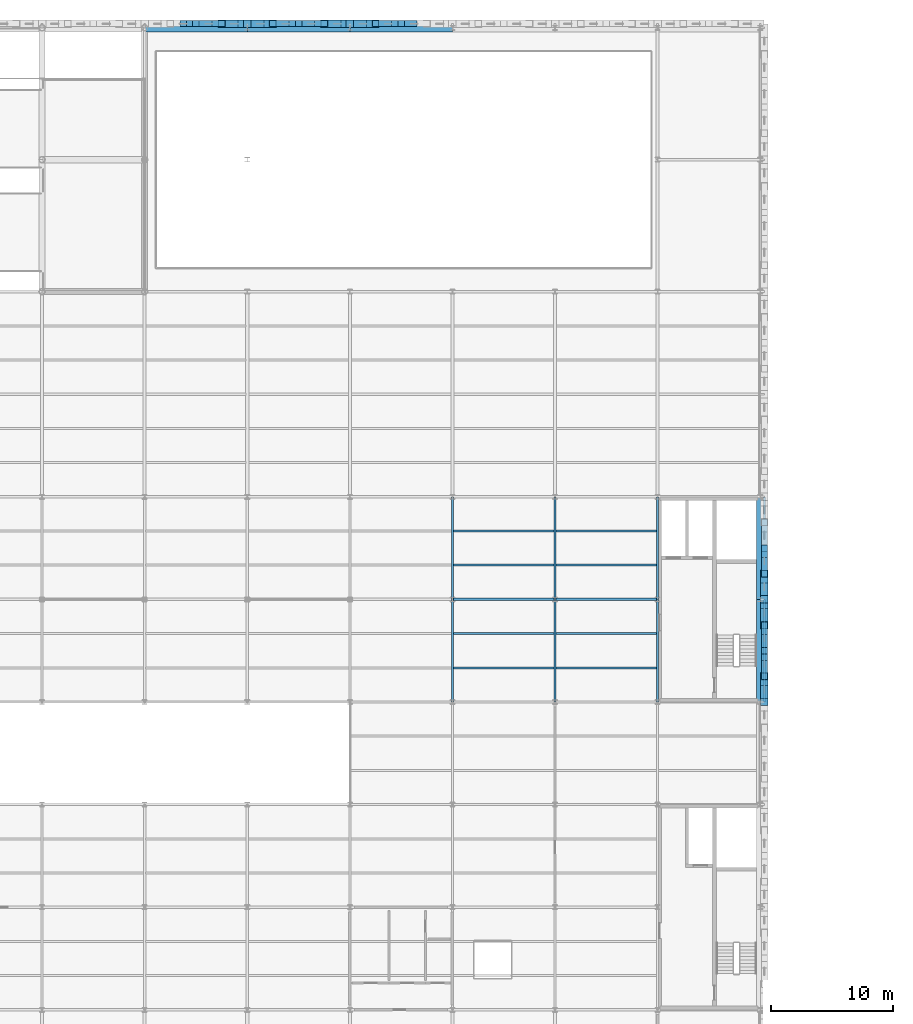
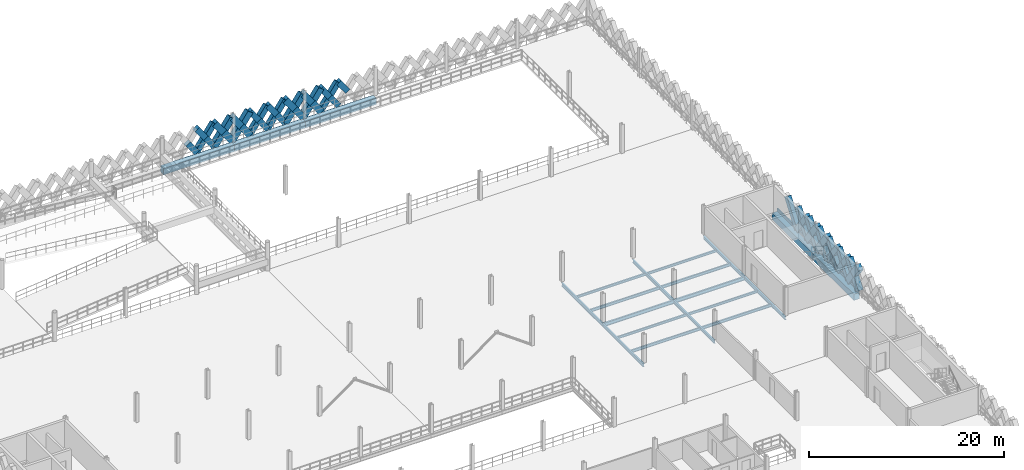
# One storey, part 26 of 62: 47 members, 21 beams.
"""IFC4 building model written with IfcOpenShell, lengths in metres."""

from ifc_helpers import new_model, si_unit, direction, frame, origin, origin_2d, place, context, subcontext, project, spatial, rectangle, hollow_rectangle, i_section, extrude, material, material_profile, profile_set, type_object, element, save


model = new_model("IFC4")

# Units and contexts
model_context = context("Model", 3, precision=1e-05, world=origin(), true_north=direction((0.0, 1.0)))
body_context = subcontext(model_context, "Body", "Model", "MODEL_VIEW")
ifc_project = project(units=[si_unit("LENGTHUNIT", "METRE"), si_unit("AREAUNIT", "SQUARE_METRE"), si_unit("VOLUMEUNIT", "CUBIC_METRE"), si_unit("PLANEANGLEUNIT", "RADIAN"), si_unit("MASSUNIT", "GRAM", prefix="KILO"), si_unit("THERMODYNAMICTEMPERATUREUNIT", "KELVIN"), si_unit("POWERUNIT", "WATT")], contexts=[model_context])

# Site, building, storey
site_placement = place(None, origin())
site = spatial("IfcSite", under=ifc_project, at=site_placement, CompositionType="ELEMENT")
building_placement = place(site_placement, origin())
building = spatial("IfcBuilding", under=site, at=building_placement, Name="Tembeka Court Mobility Hub", CompositionType="ELEMENT")
storey_placement = place(building_placement, frame((0.0, 0.0, 16.199951171875)))
storey = spatial("IfcBuildingStorey", under=building, at=storey_placement, Name="L04", CompositionType="ELEMENT", Elevation=16.199951171875)

# Beams
ifc_material_1 = material(Name="Steel S355", Category="steel")
ifc_material_profile_1 = material_profile(ifc_material_1, i_section(OverallWidth=0.18994140625, OverallDepth=0.45703125, WebThickness=0.009033203125, FlangeThickness=0.014404296875, FilletRadius=0.01025390625, at=origin_2d()), Name="UKB 457x191x74")
ifc_profile_set_1 = profile_set([ifc_material_profile_1], Name="Steel S355")
beam_type_1 = type_object("IfcBeamType", Name="BM-B01", PredefinedType="BEAM", material=ifc_profile_set_1)
beam_1_placement = place(storey_placement, frame((67.199951171875, 72.0, -0.448486328125), z_axis=(1.0, 0.0, 0.0), x_axis=(0.0, 1.0, 0.0)))
element("IfcBeam", 1, at=beam_1_placement, inside=storey, type_object=beam_type_1, Name="Beam B01 (BM-L04-X2276)", PredefinedType="BEAM", context=body_context, shape_type="SweptSolid", body=[
    extrude(i_section(OverallWidth=0.18994140625, OverallDepth=0.45703125, WebThickness=0.009033203125, FlangeThickness=0.014404296875, FilletRadius=0.01025390625, at=origin_2d()), origin(), (0.0, 0.0, 1.0), 8.400146484375),
])
beam_2_placement = place(storey_placement, frame((75.60009765625, 72.0, -0.448486328125), z_axis=(1.0, 0.0, 0.0), x_axis=(0.0, 1.0, 0.0)))
element("IfcBeam", 2, at=beam_2_placement, inside=storey, type_object=beam_type_1, Name="Beam B01 (BM-L04-X2277)", PredefinedType="BEAM", context=body_context, shape_type="SweptSolid", body=[
    extrude(i_section(OverallWidth=0.18994140625, OverallDepth=0.45703125, WebThickness=0.009033203125, FlangeThickness=0.014404296875, FilletRadius=0.01025390625, at=origin_2d()), origin(), (0.0, 0.0, 1.0), 8.39990234375),
])
ifc_material_profile_2 = material_profile(ifc_material_1, i_section(OverallWidth=0.177978515625, OverallDepth=0.406005859375, WebThickness=0.0078125, FlangeThickness=0.0126953125, FilletRadius=0.01025390625, at=origin_2d()), Name="UKB 406x178x60")
ifc_profile_set_2 = profile_set([ifc_material_profile_2], Name="Steel S355")
beam_type_2 = type_object("IfcBeamType", Name="BM-B02", PredefinedType="BEAM", material=ifc_profile_set_2)
for number, where, z_axis, x_axis, name in (
    (3, (67.199951171875, 63.60009765625, -0.4228515625), (0.0, 1.0, 0.0), (-1.0, 0.0, 0.0), "Beam B02 (BM-L04-Y2386)"),
    (4, (67.199951171875, 72.0, -0.4228515625), (0.0, 1.0, 0.0), (-1.0, 0.0, 0.0), "Beam B02 (BM-L04-Y2387)"),
    (5, (75.60009765625, 63.60009765625, -0.4228515625), (0.0, 1.0, 0.0), (-1.0, 0.0, 0.0), "Beam B02 (BM-L04-Y2393)"),
    (6, (75.60009765625, 72.0, -0.4228515625), (0.0, 1.0, 0.0), (-1.0, 0.0, 0.0), "Beam B02 (BM-L04-Y2394)"),
    (7, (84.0, 63.60009765625, -0.4228515625), (0.0, 1.0, 0.0), (-1.0, 0.0, 0.0), "Beam B02 (BM-L04-Y2402)"),
    (8, (84.0, 72.0, -0.4228515625), (0.0, 1.0, 0.0), (-1.0, 0.0, 0.0), "Beam B02 (BM-L04-Y2403)"),
):
    element("IfcBeam", number, at=place(storey_placement, frame(where, z_axis=z_axis, x_axis=x_axis)), inside=storey, type_object=beam_type_2, Name=name, PredefinedType="BEAM", context=body_context, shape_type="SweptSolid", body=[
        extrude(i_section(OverallWidth=0.177978515625, OverallDepth=0.406005859375, WebThickness=0.0078125, FlangeThickness=0.0126953125, FilletRadius=0.01025390625, at=origin_2d()), origin(), (0.0, 0.0, 1.0), 8.39990234375),
    ])
ifc_material_profile_3 = material_profile(ifc_material_1, i_section(OverallWidth=0.1650390625, OverallDepth=0.303955078125, WebThickness=0.006103515625, FlangeThickness=0.01025390625, FilletRadius=0.0087890625, at=origin_2d()), Name="UKB 305x165x40")
ifc_profile_set_3 = profile_set([ifc_material_profile_3], Name="Steel S355")
beam_type_3 = type_object("IfcBeamType", Name="BM-J02", PredefinedType="JOIST", material=ifc_profile_set_3)
for number, where, z_axis, x_axis, name in (
    (9, (67.283935546875, 69.199951171875, -0.3720703125), (1.0, 0.0, 0.0), (0.0, 1.0, 0.0), "Beam J02 (JST-L04-2594)"),
    (10, (67.283935546875, 77.60009765625, -0.3720703125), (1.0, 0.0, 0.0), (0.0, 1.0, 0.0), "Beam J02 (JST-L04-2596)"),
):
    element("IfcBeam", number, at=place(storey_placement, frame(where, z_axis=z_axis, x_axis=x_axis)), inside=storey, type_object=beam_type_3, Name=name, PredefinedType="JOIST", context=body_context, shape_type="SweptSolid", body=[
        extrude(i_section(OverallWidth=0.1650390625, OverallDepth=0.303955078125, WebThickness=0.006103515625, FlangeThickness=0.01025390625, FilletRadius=0.0087890625, at=origin_2d()), origin(), (0.0, 0.0, 1.0), 8.232177734375),
    ])
for number, where, z_axis, x_axis, name in (
    (11, (75.68408203125, 69.199951171875, -0.3720703125), (1.0, 0.0, 0.0), (0.0, 1.0, 0.0), "Beam J02 (JST-L04-2614)"),
    (12, (75.68408203125, 77.60009765625, -0.3720703125), (1.0, 0.0, 0.0), (0.0, 1.0, 0.0), "Beam J02 (JST-L04-2616)"),
):
    element("IfcBeam", number, at=place(storey_placement, frame(where, z_axis=z_axis, x_axis=x_axis)), inside=storey, type_object=beam_type_3, Name=name, PredefinedType="JOIST", context=body_context, shape_type="SweptSolid", body=[
        extrude(i_section(OverallWidth=0.1650390625, OverallDepth=0.303955078125, WebThickness=0.006103515625, FlangeThickness=0.01025390625, FilletRadius=0.0087890625, at=origin_2d()), origin(), (0.0, 0.0, 1.0), 8.23193359375),
    ])
ifc_material_profile_4 = material_profile(ifc_material_1, i_section(OverallWidth=0.169921875, OverallDepth=0.360107421875, WebThickness=0.008056640625, FlangeThickness=0.0126953125, FilletRadius=0.01806640625, at=origin_2d()), Name="IPE 360")
ifc_profile_set_4 = profile_set([ifc_material_profile_4], Name="Steel S355")
beam_type_4 = type_object("IfcBeamType", Name="BM-J03", PredefinedType="JOIST", material=ifc_profile_set_4)
for number, where, z_axis, x_axis, name in (
    (13, (67.283935546875, 66.39990234375, -0.39990234375), (1.0, 0.0, 0.0), (0.0, 1.0, 0.0), "Beam J03 (JST-L04-2593)"),
    (14, (67.283935546875, 74.800048828125, -0.39990234375), (1.0, 0.0, 0.0), (0.0, 1.0, 0.0), "Beam J03 (JST-L04-2595)"),
):
    element("IfcBeam", number, at=place(storey_placement, frame(where, z_axis=z_axis, x_axis=x_axis)), inside=storey, type_object=beam_type_4, Name=name, PredefinedType="JOIST", context=body_context, shape_type="SweptSolid", body=[
        extrude(i_section(OverallWidth=0.169921875, OverallDepth=0.360107421875, WebThickness=0.008056640625, FlangeThickness=0.0126953125, FilletRadius=0.01806640625, at=origin_2d()), origin(), (0.0, 0.0, 1.0), 8.232177734375),
    ])
for number, where, z_axis, x_axis, name in (
    (15, (75.68408203125, 66.39990234375, -0.39990234375), (1.0, 0.0, 0.0), (0.0, 1.0, 0.0), "Beam J03 (JST-L04-2613)"),
    (16, (75.68408203125, 74.800048828125, -0.39990234375), (1.0, 0.0, 0.0), (0.0, 1.0, 0.0), "Beam J03 (JST-L04-2615)"),
):
    element("IfcBeam", number, at=place(storey_placement, frame(where, z_axis=z_axis, x_axis=x_axis)), inside=storey, type_object=beam_type_4, Name=name, PredefinedType="JOIST", context=body_context, shape_type="SweptSolid", body=[
        extrude(i_section(OverallWidth=0.169921875, OverallDepth=0.360107421875, WebThickness=0.008056640625, FlangeThickness=0.0126953125, FilletRadius=0.01806640625, at=origin_2d()), origin(), (0.0, 0.0, 1.0), 8.23193359375),
    ])
ifc_material_2 = material(Name="Precast concrete C45/55", Category="concrete")
ifc_material_profile_5 = material_profile(ifc_material_2, rectangle(XDim=0.64990234375, YDim=0.800048828125, at=origin_2d()), Name="PC-SP 650x800")
ifc_profile_set_5 = profile_set([ifc_material_profile_5], Name="Precast concrete C45/55")
beam_type_5 = type_object("IfcBeamType", Name="BM-SP01", PredefinedType="SPANDREL", material=ifc_profile_set_5)
beam_3_placement = place(storey_placement, frame((42.0, 118.800048828125, -0.619873046875), z_axis=(1.0, 0.0, 0.0), x_axis=(0.0, 1.0, 0.0)))
element("IfcBeam", 17, at=beam_3_placement, inside=storey, type_object=beam_type_5, Name="Beam SP01 (BM-L04-X2307)", PredefinedType="SPANDREL", context=body_context, shape_type="SweptSolid", body=[
    extrude(rectangle(XDim=0.64990234375, YDim=0.800048828125, at=origin_2d()), origin(), (0.0, 0.0, 1.0), 8.39990234375),
])
beam_4_placement = place(storey_placement, frame((50.39990234375, 118.800048828125, -0.619873046875), z_axis=(1.0, 0.0, 0.0), x_axis=(0.0, 1.0, 0.0)))
element("IfcBeam", 18, at=beam_4_placement, inside=storey, type_object=beam_type_5, Name="Beam SP01 (BM-L04-X2308)", PredefinedType="SPANDREL", context=body_context, shape_type="SweptSolid", body=[
    extrude(rectangle(XDim=0.64990234375, YDim=0.800048828125, at=origin_2d()), origin(), (0.0, 0.0, 1.0), 8.400146484375),
])
for number, where, z_axis, x_axis, name in (
    (19, (58.800048828125, 118.800048828125, -0.619873046875), (1.0, 0.0, 0.0), (0.0, 1.0, 0.0), "Beam SP01 (BM-L04-X2309)"),
    (20, (92.39990234375, 63.60009765625, -0.619873046875), (0.0, 1.0, 0.0), (-1.0, 0.0, 0.0), "Beam SP01 (BM-L04-Y2413)"),
    (21, (92.39990234375, 72.0, -0.619873046875), (0.0, 1.0, 0.0), (-1.0, 0.0, 0.0), "Beam SP01 (BM-L04-Y2414)"),
):
    element("IfcBeam", number, at=place(storey_placement, frame(where, z_axis=z_axis, x_axis=x_axis)), inside=storey, type_object=beam_type_5, Name=name, PredefinedType="SPANDREL", context=body_context, shape_type="SweptSolid", body=[
        extrude(rectangle(XDim=0.64990234375, YDim=0.800048828125, at=origin_2d()), origin(), (0.0, 0.0, 1.0), 8.39990234375),
    ])

# Members
ifc_material_profile_6 = material_profile(ifc_material_2, rectangle(XDim=0.5, YDim=0.64990234375, at=origin_2d()), Name="PC-DIAG 500x650")
ifc_profile_set_6 = profile_set([ifc_material_profile_6], Name="Precast concrete C45/55")
member_type_1 = type_object("IfcMemberType", Name="MEM-DL01", PredefinedType="BRACE", material=ifc_profile_set_6)
member_1_placement = place(storey_placement, frame((46.199951171875, 119.139892578125, 0.02001953125), z_axis=(-0.582544294934, 0.0, 0.812798956963), x_axis=(0.0, -1.0, 0.0)))
element("IfcMember", 22, at=member_1_placement, inside=storey, type_object=member_type_1, Name="Precast diamond lattice split lower strand DL01 (L04-654B1)", PredefinedType="BRACE", context=body_context, shape_type="SweptSolid", body=[
    extrude(rectangle(XDim=0.5, YDim=0.64990234375, at=origin_2d()), origin(), (0.0, 0.0, 1.0), 1.802490234375),
])
member_2_placement = place(storey_placement, frame((46.199951171875, 119.139892578125, 0.02001953125), z_axis=(0.582576362011, 0.0, 0.812775973086), x_axis=(0.0, 1.0, 0.0)))
element("IfcMember", 23, at=member_2_placement, inside=storey, type_object=member_type_1, Name="Precast diamond lattice continuous strand DL01 (L04-655A)", PredefinedType="BRACE", context=body_context, shape_type="SweptSolid", body=[
    extrude(rectangle(XDim=0.5, YDim=0.64990234375, at=origin_2d()), origin(), (0.0, 0.0, 1.0), 3.604736328125),
])
member_3_placement = place(storey_placement, frame((48.300048828125, 119.139892578125, 0.02001953125), z_axis=(-0.582544294934, 0.0, 0.812798956963), x_axis=(0.0, -1.0, 0.0)))
element("IfcMember", 24, at=member_3_placement, inside=storey, type_object=member_type_1, Name="Precast diamond lattice split lower strand DL01 (L04-655B1)", PredefinedType="BRACE", context=body_context, shape_type="SweptSolid", body=[
    extrude(rectangle(XDim=0.5, YDim=0.64990234375, at=origin_2d()), origin(), (0.0, 0.0, 1.0), 1.802490234375),
])
member_4_placement = place(storey_placement, frame((47.25, 119.139892578125, 1.485107421875), z_axis=(-0.582608431711, 0.0, 0.812752985414), x_axis=(0.0, -1.0, 0.0)))
element("IfcMember", 25, at=member_4_placement, inside=storey, type_object=member_type_1, Name="Precast diamond lattice split upper strand DL01 (L04-655B2)", PredefinedType="BRACE", context=body_context, shape_type="SweptSolid", body=[
    extrude(rectangle(XDim=0.5, YDim=0.64990234375, at=origin_2d()), origin(), (0.0, 0.0, 1.0), 1.80224609375),
])
member_5_placement = place(storey_placement, frame((52.5, 119.139892578125, 0.02001953125), z_axis=(0.582576362011, 0.0, 0.812775973086), x_axis=(0.0, 1.0, 0.0)))
element("IfcMember", 26, at=member_5_placement, inside=storey, type_object=member_type_1, Name="Precast diamond lattice continuous strand DL01 (L04-658A)", PredefinedType="BRACE", context=body_context, shape_type="SweptSolid", body=[
    extrude(rectangle(XDim=0.5, YDim=0.64990234375, at=origin_2d()), origin(), (0.0, 0.0, 1.0), 3.604736328125),
])
member_6_placement = place(storey_placement, frame((54.60009765625, 119.139892578125, 0.02001953125), z_axis=(-0.582544294934, 0.0, 0.812798956963), x_axis=(0.0, -1.0, 0.0)))
element("IfcMember", 27, at=member_6_placement, inside=storey, type_object=member_type_1, Name="Precast diamond lattice split lower strand DL01 (L04-658B1)", PredefinedType="BRACE", context=body_context, shape_type="SweptSolid", body=[
    extrude(rectangle(XDim=0.5, YDim=0.64990234375, at=origin_2d()), origin(), (0.0, 0.0, 1.0), 1.802490234375),
])
member_7_placement = place(storey_placement, frame((53.550048828125, 119.139892578125, 1.485107421875), z_axis=(-0.582608431711, 0.0, 0.812752985414), x_axis=(0.0, -1.0, 0.0)))
element("IfcMember", 28, at=member_7_placement, inside=storey, type_object=member_type_1, Name="Precast diamond lattice split upper strand DL01 (L04-658B2)", PredefinedType="BRACE", context=body_context, shape_type="SweptSolid", body=[
    extrude(rectangle(XDim=0.5, YDim=0.64990234375, at=origin_2d()), origin(), (0.0, 0.0, 1.0), 1.80224609375),
])
member_8_placement = place(storey_placement, frame((54.60009765625, 119.139892578125, 0.02001953125), z_axis=(0.58253161945, 0.0, 0.812808041509), x_axis=(0.0, 1.0, 0.0)))
element("IfcMember", 29, at=member_8_placement, inside=storey, type_object=member_type_1, Name="Precast diamond lattice continuous strand DL01 (L04-659A)", PredefinedType="BRACE", context=body_context, shape_type="SweptSolid", body=[
    extrude(rectangle(XDim=0.5, YDim=0.64990234375, at=origin_2d()), origin(), (0.0, 0.0, 1.0), 3.604736328125),
])
member_9_placement = place(storey_placement, frame((56.699951171875, 119.139892578125, 0.02001953125), z_axis=(-0.582544294934, 0.0, 0.812798956963), x_axis=(0.0, -1.0, 0.0)))
element("IfcMember", 30, at=member_9_placement, inside=storey, type_object=member_type_1, Name="Precast diamond lattice split lower strand DL01 (L04-659B1)", PredefinedType="BRACE", context=body_context, shape_type="SweptSolid", body=[
    extrude(rectangle(XDim=0.5, YDim=0.64990234375, at=origin_2d()), origin(), (0.0, 0.0, 1.0), 1.802490234375),
])
member_10_placement = place(storey_placement, frame((55.64990234375, 119.139892578125, 1.485107421875), z_axis=(-0.582518941428, 0.0, 0.812817127574), x_axis=(0.0, -1.0, 0.0)))
element("IfcMember", 31, at=member_10_placement, inside=storey, type_object=member_type_1, Name="Precast diamond lattice split upper strand DL01 (L04-659B2)", PredefinedType="BRACE", context=body_context, shape_type="SweptSolid", body=[
    extrude(rectangle(XDim=0.5, YDim=0.64990234375, at=origin_2d()), origin(), (0.0, 0.0, 1.0), 1.80224609375),
])
member_11_placement = place(storey_placement, frame((60.89990234375, 119.139892578125, 0.02001953125), z_axis=(0.582576362011, 0.0, 0.812775973086), x_axis=(0.0, 1.0, 0.0)))
element("IfcMember", 32, at=member_11_placement, inside=storey, type_object=member_type_1, Name="Precast diamond lattice continuous strand DL01 (L04-662A)", PredefinedType="BRACE", context=body_context, shape_type="SweptSolid", body=[
    extrude(rectangle(XDim=0.5, YDim=0.64990234375, at=origin_2d()), origin(), (0.0, 0.0, 1.0), 3.604736328125),
])
member_12_placement = place(storey_placement, frame((63.0, 119.139892578125, 0.02001953125), z_axis=(-0.582544294934, 0.0, 0.812798956963), x_axis=(0.0, -1.0, 0.0)))
element("IfcMember", 33, at=member_12_placement, inside=storey, type_object=member_type_1, Name="Precast diamond lattice split lower strand DL01 (L04-662B1)", PredefinedType="BRACE", context=body_context, shape_type="SweptSolid", body=[
    extrude(rectangle(XDim=0.5, YDim=0.64990234375, at=origin_2d()), origin(), (0.0, 0.0, 1.0), 1.802490234375),
])
for number, where, z_axis, x_axis, name in (
    (34, (61.949951171875, 119.139892578125, 1.485107421875), (-0.582608431711, 0.0, 0.812752985414), (0.0, -1.0, 0.0), "Precast diamond lattice split upper strand DL01 (L04-662B2)"),
    (35, (64.050048828125, 119.139892578125, 1.485107421875), (-0.582608431711, 0.0, 0.812752985414), (0.0, -1.0, 0.0), "Precast diamond lattice split upper strand DL01 (L04-663B2)"),
):
    element("IfcMember", number, at=place(storey_placement, frame(where, z_axis=z_axis, x_axis=x_axis)), inside=storey, type_object=member_type_1, Name=name, PredefinedType="BRACE", context=body_context, shape_type="SweptSolid", body=[
        extrude(rectangle(XDim=0.5, YDim=0.64990234375, at=origin_2d()), origin(), (0.0, 0.0, 1.0), 1.80224609375),
    ])
member_13_placement = place(storey_placement, frame((92.739990234375, 65.699951171875, 0.02001953125), z_axis=(0.0, 0.582576362011, 0.812775973086), x_axis=(-1.0, 0.0, 0.0)))
element("IfcMember", 36, at=member_13_placement, inside=storey, type_object=member_type_1, Name="Precast diamond lattice continuous strand DL01 (L04-764C)", PredefinedType="BRACE", context=body_context, shape_type="SweptSolid", body=[
    extrude(rectangle(XDim=0.5, YDim=0.64990234375, at=origin_2d()), origin(), (0.0, 0.0, 1.0), 3.604736328125),
])
member_14_placement = place(storey_placement, frame((92.739990234375, 67.800048828125, 0.02001953125), z_axis=(0.0, -0.582544294934, 0.812798956963), x_axis=(1.0, 0.0, 0.0)))
element("IfcMember", 37, at=member_14_placement, inside=storey, type_object=member_type_1, Name="Precast diamond lattice split lower strand DL01 (L04-764D1)", PredefinedType="BRACE", context=body_context, shape_type="SweptSolid", body=[
    extrude(rectangle(XDim=0.5, YDim=0.64990234375, at=origin_2d()), origin(), (0.0, 0.0, 1.0), 1.802490234375),
])
member_15_placement = place(storey_placement, frame((92.739990234375, 66.75, 1.485107421875), z_axis=(0.0, -0.582608431711, 0.812752985414), x_axis=(1.0, 0.0, 0.0)))
element("IfcMember", 38, at=member_15_placement, inside=storey, type_object=member_type_1, Name="Precast diamond lattice split upper strand DL01 (L04-764D2)", PredefinedType="BRACE", context=body_context, shape_type="SweptSolid", body=[
    extrude(rectangle(XDim=0.5, YDim=0.64990234375, at=origin_2d()), origin(), (0.0, 0.0, 1.0), 1.80224609375),
])
member_16_placement = place(storey_placement, frame((92.739990234375, 67.800048828125, 0.02001953125), z_axis=(0.0, 0.58253161945, 0.812808041509), x_axis=(-1.0, 0.0, 0.0)))
element("IfcMember", 39, at=member_16_placement, inside=storey, type_object=member_type_1, Name="Precast diamond lattice continuous strand DL01 (L04-765C)", PredefinedType="BRACE", context=body_context, shape_type="SweptSolid", body=[
    extrude(rectangle(XDim=0.5, YDim=0.64990234375, at=origin_2d()), origin(), (0.0, 0.0, 1.0), 3.604736328125),
])
member_17_placement = place(storey_placement, frame((92.739990234375, 69.89990234375, 0.02001953125), z_axis=(0.0, -0.582454804382, 0.812863088627), x_axis=(1.0, 0.0, 0.0)))
element("IfcMember", 40, at=member_17_placement, inside=storey, type_object=member_type_1, Name="Precast diamond lattice split lower strand DL01 (L04-765D1)", PredefinedType="BRACE", context=body_context, shape_type="SweptSolid", body=[
    extrude(rectangle(XDim=0.5, YDim=0.64990234375, at=origin_2d()), origin(), (0.0, 0.0, 1.0), 1.802490234375),
])
member_18_placement = place(storey_placement, frame((92.739990234375, 68.85009765625, 1.485107421875), z_axis=(0.0, -0.582608431711, 0.812752985414), x_axis=(1.0, 0.0, 0.0)))
element("IfcMember", 41, at=member_18_placement, inside=storey, type_object=member_type_1, Name="Precast diamond lattice split upper strand DL01 (L04-765D2)", PredefinedType="BRACE", context=body_context, shape_type="SweptSolid", body=[
    extrude(rectangle(XDim=0.5, YDim=0.64990234375, at=origin_2d()), origin(), (0.0, 0.0, 1.0), 1.80224609375),
])
member_19_placement = place(storey_placement, frame((92.739990234375, 74.10009765625, 0.02001953125), z_axis=(0.0, 0.58253161945, 0.812808041509), x_axis=(-1.0, 0.0, 0.0)))
element("IfcMember", 42, at=member_19_placement, inside=storey, type_object=member_type_1, Name="Precast diamond lattice continuous strand DL01 (L04-768C)", PredefinedType="BRACE", context=body_context, shape_type="SweptSolid", body=[
    extrude(rectangle(XDim=0.5, YDim=0.64990234375, at=origin_2d()), origin(), (0.0, 0.0, 1.0), 3.604736328125),
])
member_20_placement = place(storey_placement, frame((92.739990234375, 76.199951171875, 0.02001953125), z_axis=(0.0, -0.582544294934, 0.812798956963), x_axis=(1.0, 0.0, 0.0)))
element("IfcMember", 43, at=member_20_placement, inside=storey, type_object=member_type_1, Name="Precast diamond lattice split lower strand DL01 (L04-768D1)", PredefinedType="BRACE", context=body_context, shape_type="SweptSolid", body=[
    extrude(rectangle(XDim=0.5, YDim=0.64990234375, at=origin_2d()), origin(), (0.0, 0.0, 1.0), 1.802490234375),
])
member_21_placement = place(storey_placement, frame((92.739990234375, 75.14990234375, 1.485107421875), z_axis=(0.0, -0.582518941428, 0.812817127574), x_axis=(1.0, 0.0, 0.0)))
element("IfcMember", 44, at=member_21_placement, inside=storey, type_object=member_type_1, Name="Precast diamond lattice split upper strand DL01 (L04-768D2)", PredefinedType="BRACE", context=body_context, shape_type="SweptSolid", body=[
    extrude(rectangle(XDim=0.5, YDim=0.64990234375, at=origin_2d()), origin(), (0.0, 0.0, 1.0), 1.80224609375),
])
member_22_placement = place(storey_placement, frame((92.739990234375, 76.199951171875, 0.02001953125), z_axis=(0.0, 0.582576362011, 0.812775973086), x_axis=(-1.0, 0.0, 0.0)))
element("IfcMember", 45, at=member_22_placement, inside=storey, type_object=member_type_1, Name="Precast diamond lattice continuous strand DL01 (L04-769C)", PredefinedType="BRACE", context=body_context, shape_type="SweptSolid", body=[
    extrude(rectangle(XDim=0.5, YDim=0.64990234375, at=origin_2d()), origin(), (0.0, 0.0, 1.0), 3.604736328125),
])
ifc_material_profile_7 = material_profile(ifc_material_2, rectangle(XDim=0.60009765625, YDim=0.75, at=origin_2d()), Name="PC-DIAG 600x750")
ifc_profile_set_7 = profile_set([ifc_material_profile_7], Name="Precast concrete C45/55")
member_type_2 = type_object("IfcMemberType", Name="MEM-DL02", PredefinedType="BRACE", material=ifc_profile_set_7)
member_23_placement = place(storey_placement, frame((48.300048828125, 119.139892578125, 0.02001953125), z_axis=(0.58253161945, 0.0, 0.812808041509), x_axis=(0.0, 1.0, 0.0)))
element("IfcMember", 46, at=member_23_placement, inside=storey, type_object=member_type_2, Name="Precast diamond lattice continuous strand DL02 (L04-656A)", PredefinedType="BRACE", context=body_context, shape_type="SweptSolid", body=[
    extrude(rectangle(XDim=0.60009765625, YDim=0.75, at=origin_2d()), origin(), (0.0, 0.0, 1.0), 3.604736328125),
])
member_24_placement = place(storey_placement, frame((50.39990234375, 119.139892578125, 0.02001953125), z_axis=(-0.582454804382, 0.0, 0.812863088627), x_axis=(0.0, -1.0, 0.0)))
element("IfcMember", 47, at=member_24_placement, inside=storey, type_object=member_type_2, Name="Precast diamond lattice split lower strand DL02 (L04-656B1)", PredefinedType="BRACE", context=body_context, shape_type="SweptSolid", body=[
    extrude(rectangle(XDim=0.60009765625, YDim=0.75, at=origin_2d()), origin(), (0.0, 0.0, 1.0), 1.802490234375),
])
member_25_placement = place(storey_placement, frame((49.35009765625, 119.139892578125, 1.485107421875), z_axis=(-0.582608431711, 0.0, 0.812752985414), x_axis=(0.0, -1.0, 0.0)))
element("IfcMember", 48, at=member_25_placement, inside=storey, type_object=member_type_2, Name="Precast diamond lattice split upper strand DL02 (L04-656B2)", PredefinedType="BRACE", context=body_context, shape_type="SweptSolid", body=[
    extrude(rectangle(XDim=0.60009765625, YDim=0.75, at=origin_2d()), origin(), (0.0, 0.0, 1.0), 1.80224609375),
])
member_26_placement = place(storey_placement, frame((50.39990234375, 119.139892578125, 0.02001953125), z_axis=(0.582576362011, 0.0, 0.812775973086), x_axis=(0.0, 1.0, 0.0)))
element("IfcMember", 49, at=member_26_placement, inside=storey, type_object=member_type_2, Name="Precast diamond lattice continuous strand DL02 (L04-657A)", PredefinedType="BRACE", context=body_context, shape_type="SweptSolid", body=[
    extrude(rectangle(XDim=0.60009765625, YDim=0.75, at=origin_2d()), origin(), (0.0, 0.0, 1.0), 3.604736328125),
])
member_27_placement = place(storey_placement, frame((52.5, 119.139892578125, 0.02001953125), z_axis=(-0.582544294934, 0.0, 0.812798956963), x_axis=(0.0, -1.0, 0.0)))
element("IfcMember", 50, at=member_27_placement, inside=storey, type_object=member_type_2, Name="Precast diamond lattice split lower strand DL02 (L04-657B1)", PredefinedType="BRACE", context=body_context, shape_type="SweptSolid", body=[
    extrude(rectangle(XDim=0.60009765625, YDim=0.75, at=origin_2d()), origin(), (0.0, 0.0, 1.0), 1.802490234375),
])
member_28_placement = place(storey_placement, frame((51.449951171875, 119.139892578125, 1.485107421875), z_axis=(-0.582608431711, 0.0, 0.812752985414), x_axis=(0.0, -1.0, 0.0)))
element("IfcMember", 51, at=member_28_placement, inside=storey, type_object=member_type_2, Name="Precast diamond lattice split upper strand DL02 (L04-657B2)", PredefinedType="BRACE", context=body_context, shape_type="SweptSolid", body=[
    extrude(rectangle(XDim=0.60009765625, YDim=0.75, at=origin_2d()), origin(), (0.0, 0.0, 1.0), 1.80224609375),
])
member_29_placement = place(storey_placement, frame((56.699951171875, 119.139892578125, 0.02001953125), z_axis=(0.582576362011, 0.0, 0.812775973086), x_axis=(0.0, 1.0, 0.0)))
element("IfcMember", 52, at=member_29_placement, inside=storey, type_object=member_type_2, Name="Precast diamond lattice continuous strand DL02 (L04-660A)", PredefinedType="BRACE", context=body_context, shape_type="SweptSolid", body=[
    extrude(rectangle(XDim=0.60009765625, YDim=0.75, at=origin_2d()), origin(), (0.0, 0.0, 1.0), 3.604736328125),
])
member_30_placement = place(storey_placement, frame((58.800048828125, 119.139892578125, 0.02001953125), z_axis=(-0.582544294934, 0.0, 0.812798956963), x_axis=(0.0, -1.0, 0.0)))
element("IfcMember", 53, at=member_30_placement, inside=storey, type_object=member_type_2, Name="Precast diamond lattice split lower strand DL02 (L04-660B1)", PredefinedType="BRACE", context=body_context, shape_type="SweptSolid", body=[
    extrude(rectangle(XDim=0.60009765625, YDim=0.75, at=origin_2d()), origin(), (0.0, 0.0, 1.0), 1.802490234375),
])
member_31_placement = place(storey_placement, frame((57.75, 119.139892578125, 1.485107421875), z_axis=(-0.582608431711, 0.0, 0.812752985414), x_axis=(0.0, -1.0, 0.0)))
element("IfcMember", 54, at=member_31_placement, inside=storey, type_object=member_type_2, Name="Precast diamond lattice split upper strand DL02 (L04-660B2)", PredefinedType="BRACE", context=body_context, shape_type="SweptSolid", body=[
    extrude(rectangle(XDim=0.60009765625, YDim=0.75, at=origin_2d()), origin(), (0.0, 0.0, 1.0), 1.80224609375),
])
member_32_placement = place(storey_placement, frame((58.800048828125, 119.139892578125, 0.02001953125), z_axis=(0.58253161945, 0.0, 0.812808041509), x_axis=(0.0, 1.0, 0.0)))
element("IfcMember", 55, at=member_32_placement, inside=storey, type_object=member_type_2, Name="Precast diamond lattice continuous strand DL02 (L04-661A)", PredefinedType="BRACE", context=body_context, shape_type="SweptSolid", body=[
    extrude(rectangle(XDim=0.60009765625, YDim=0.75, at=origin_2d()), origin(), (0.0, 0.0, 1.0), 3.604736328125),
])
member_33_placement = place(storey_placement, frame((60.89990234375, 119.139892578125, 0.02001953125), z_axis=(-0.582454804382, 0.0, 0.812863088627), x_axis=(0.0, -1.0, 0.0)))
element("IfcMember", 56, at=member_33_placement, inside=storey, type_object=member_type_2, Name="Precast diamond lattice split lower strand DL02 (L04-661B1)", PredefinedType="BRACE", context=body_context, shape_type="SweptSolid", body=[
    extrude(rectangle(XDim=0.60009765625, YDim=0.75, at=origin_2d()), origin(), (0.0, 0.0, 1.0), 1.802490234375),
])
member_34_placement = place(storey_placement, frame((59.85009765625, 119.139892578125, 1.485107421875), z_axis=(-0.582608431711, 0.0, 0.812752985414), x_axis=(0.0, -1.0, 0.0)))
element("IfcMember", 57, at=member_34_placement, inside=storey, type_object=member_type_2, Name="Precast diamond lattice split upper strand DL02 (L04-661B2)", PredefinedType="BRACE", context=body_context, shape_type="SweptSolid", body=[
    extrude(rectangle(XDim=0.60009765625, YDim=0.75, at=origin_2d()), origin(), (0.0, 0.0, 1.0), 1.80224609375),
])
member_35_placement = place(storey_placement, frame((92.739990234375, 63.60009765625, 0.02001953125), z_axis=(0.0, 0.58253161945, 0.812808041509), x_axis=(-1.0, 0.0, 0.0)))
element("IfcMember", 58, at=member_35_placement, inside=storey, type_object=member_type_2, Name="Precast diamond lattice continuous strand DL02 (L04-763C)", PredefinedType="BRACE", context=body_context, shape_type="SweptSolid", body=[
    extrude(rectangle(XDim=0.60009765625, YDim=0.75, at=origin_2d()), origin(), (0.0, 0.0, 1.0), 3.604736328125),
])
member_36_placement = place(storey_placement, frame((92.739990234375, 65.699951171875, 0.02001953125), z_axis=(0.0, -0.582544294934, 0.812798956963), x_axis=(1.0, 0.0, 0.0)))
element("IfcMember", 59, at=member_36_placement, inside=storey, type_object=member_type_2, Name="Precast diamond lattice split lower strand DL02 (L04-763D1)", PredefinedType="BRACE", context=body_context, shape_type="SweptSolid", body=[
    extrude(rectangle(XDim=0.60009765625, YDim=0.75, at=origin_2d()), origin(), (0.0, 0.0, 1.0), 1.802490234375),
])
member_37_placement = place(storey_placement, frame((92.739990234375, 64.64990234375, 1.485107421875), z_axis=(0.0, -0.582518941428, 0.812817127574), x_axis=(1.0, 0.0, 0.0)))
element("IfcMember", 60, at=member_37_placement, inside=storey, type_object=member_type_2, Name="Precast diamond lattice split upper strand DL02 (L04-763D2)", PredefinedType="BRACE", context=body_context, shape_type="SweptSolid", body=[
    extrude(rectangle(XDim=0.60009765625, YDim=0.75, at=origin_2d()), origin(), (0.0, 0.0, 1.0), 1.80224609375),
])
member_38_placement = place(storey_placement, frame((92.739990234375, 69.89990234375, 0.02001953125), z_axis=(0.0, 0.582576362011, 0.812775973086), x_axis=(-1.0, 0.0, 0.0)))
element("IfcMember", 61, at=member_38_placement, inside=storey, type_object=member_type_2, Name="Precast diamond lattice continuous strand DL02 (L04-766C)", PredefinedType="BRACE", context=body_context, shape_type="SweptSolid", body=[
    extrude(rectangle(XDim=0.60009765625, YDim=0.75, at=origin_2d()), origin(), (0.0, 0.0, 1.0), 3.604736328125),
])
member_39_placement = place(storey_placement, frame((92.739990234375, 72.0, 0.02001953125), z_axis=(0.0, -0.582544294934, 0.812798956963), x_axis=(1.0, 0.0, 0.0)))
element("IfcMember", 62, at=member_39_placement, inside=storey, type_object=member_type_2, Name="Precast diamond lattice split lower strand DL02 (L04-766D1)", PredefinedType="BRACE", context=body_context, shape_type="SweptSolid", body=[
    extrude(rectangle(XDim=0.60009765625, YDim=0.75, at=origin_2d()), origin(), (0.0, 0.0, 1.0), 1.802490234375),
])
member_40_placement = place(storey_placement, frame((92.739990234375, 70.949951171875, 1.485107421875), z_axis=(0.0, -0.582608431711, 0.812752985414), x_axis=(1.0, 0.0, 0.0)))
element("IfcMember", 63, at=member_40_placement, inside=storey, type_object=member_type_2, Name="Precast diamond lattice split upper strand DL02 (L04-766D2)", PredefinedType="BRACE", context=body_context, shape_type="SweptSolid", body=[
    extrude(rectangle(XDim=0.60009765625, YDim=0.75, at=origin_2d()), origin(), (0.0, 0.0, 1.0), 1.80224609375),
])
member_41_placement = place(storey_placement, frame((92.739990234375, 72.0, 0.02001953125), z_axis=(0.0, 0.582576362011, 0.812775973086), x_axis=(-1.0, 0.0, 0.0)))
element("IfcMember", 64, at=member_41_placement, inside=storey, type_object=member_type_2, Name="Precast diamond lattice continuous strand DL02 (L04-767C)", PredefinedType="BRACE", context=body_context, shape_type="SweptSolid", body=[
    extrude(rectangle(XDim=0.60009765625, YDim=0.75, at=origin_2d()), origin(), (0.0, 0.0, 1.0), 3.604736328125),
])
member_42_placement = place(storey_placement, frame((92.739990234375, 74.10009765625, 0.02001953125), z_axis=(0.0, -0.582544294934, 0.812798956963), x_axis=(1.0, 0.0, 0.0)))
element("IfcMember", 65, at=member_42_placement, inside=storey, type_object=member_type_2, Name="Precast diamond lattice split lower strand DL02 (L04-767D1)", PredefinedType="BRACE", context=body_context, shape_type="SweptSolid", body=[
    extrude(rectangle(XDim=0.60009765625, YDim=0.75, at=origin_2d()), origin(), (0.0, 0.0, 1.0), 1.802490234375),
])
member_43_placement = place(storey_placement, frame((92.739990234375, 73.050048828125, 1.485107421875), z_axis=(0.0, -0.582608431711, 0.812752985414), x_axis=(1.0, 0.0, 0.0)))
element("IfcMember", 66, at=member_43_placement, inside=storey, type_object=member_type_2, Name="Precast diamond lattice split upper strand DL02 (L04-767D2)", PredefinedType="BRACE", context=body_context, shape_type="SweptSolid", body=[
    extrude(rectangle(XDim=0.60009765625, YDim=0.75, at=origin_2d()), origin(), (0.0, 0.0, 1.0), 1.80224609375),
])
ifc_material_profile_8 = material_profile(ifc_material_1, hollow_rectangle(XDim=0.14990234375, YDim=0.300048828125, WallThickness=0.010009765625, at=origin_2d()), Name="RHS 300x150x10")
ifc_profile_set_8 = profile_set([ifc_material_profile_8], Name="Steel S355")
member_type_3 = type_object("IfcMemberType", Name="MEM-ST03", PredefinedType="STRUT", material=ifc_profile_set_8)
for number, where, z_axis, x_axis, name in (
    (67, (92.739990234375, 63.60009765625, 0.02001953125), (0.0, 1.0, 0.0), (-1.0, 0.0, 0.0), "Proud lattice sill tie chord SR03 (L04-E-63)"),
    (68, (92.739990234375, 72.0, 0.02001953125), (0.0, 1.0, 0.0), (-1.0, 0.0, 0.0), "Proud lattice sill tie chord SR03 (L04-E-72)"),
):
    element("IfcMember", number, at=place(storey_placement, frame(where, z_axis=z_axis, x_axis=x_axis)), inside=storey, type_object=member_type_3, Name=name, PredefinedType="STRUT", context=body_context, shape_type="SweptSolid", body=[
        extrude(hollow_rectangle(XDim=0.14990234375, YDim=0.300048828125, WallThickness=0.010009765625, at=origin_2d()), origin(), (0.0, 0.0, 1.0), 8.39990234375),
    ])

save(model, "model.ifc")
